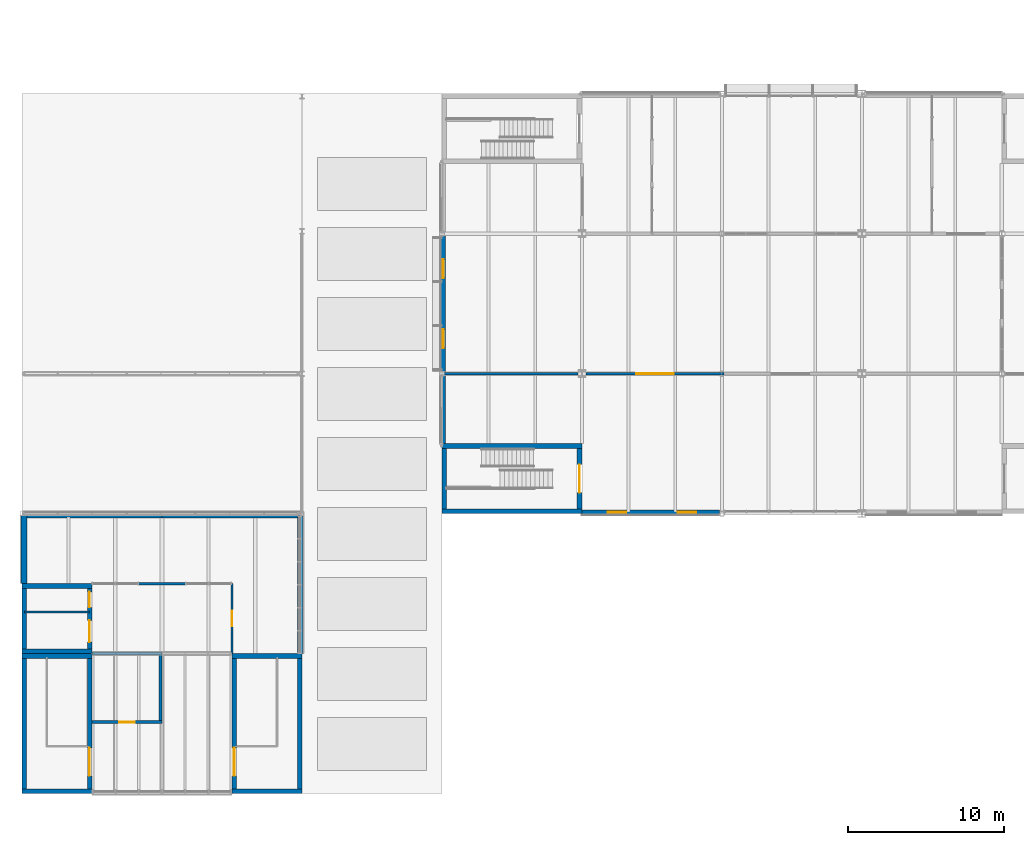
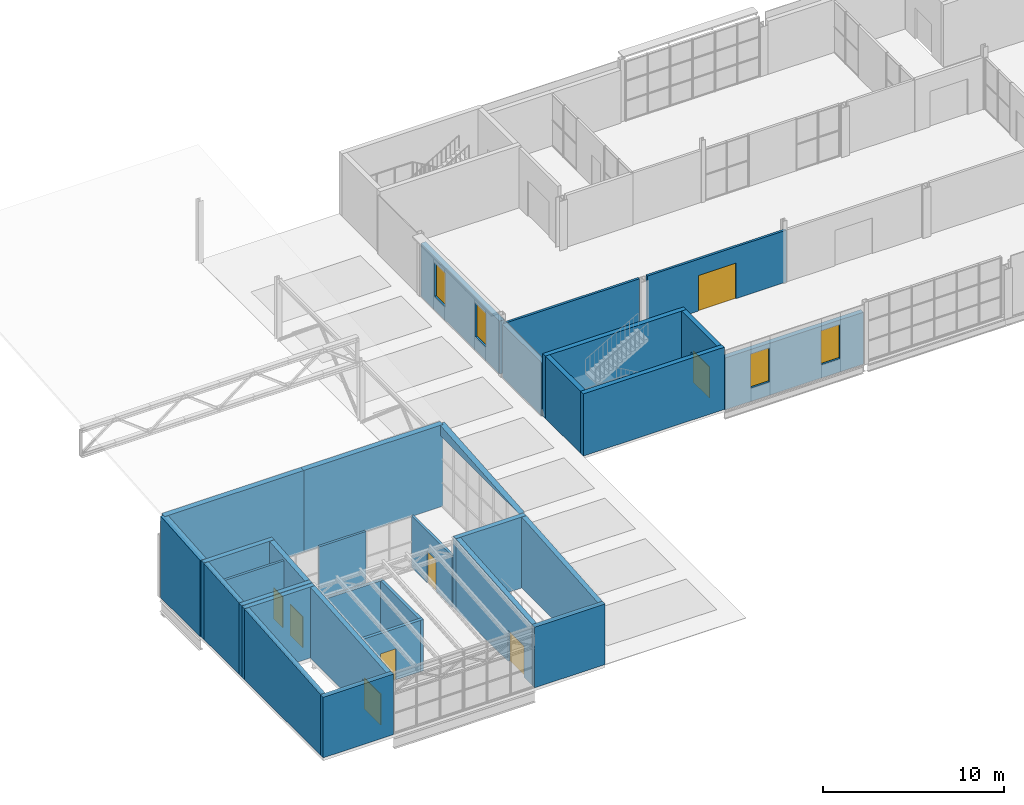
# One storey, part 41 of 61: 31 walls, 8 doors, 4 windows, 12 openings.
"""IFC4 building model written with IfcOpenShell, lengths in metres."""

from ifc_helpers import new_model, si_unit, direction, frame, frame_2d, origin, place, context, subcontext, project, spatial, polyline, rectangle, outline, extrude, material, layer, layer_set, type_object, element, fill, save


model = new_model("IFC4")

# Units and contexts
model_context = context("Model", 3, precision=1e-05, world=origin(), true_north=direction((0.0, 1.0)))
body_context = subcontext(model_context, "Body", "Model", "MODEL_VIEW")
ifc_project = project(units=[si_unit("LENGTHUNIT", "METRE"), si_unit("AREAUNIT", "SQUARE_METRE"), si_unit("VOLUMEUNIT", "CUBIC_METRE"), si_unit("PLANEANGLEUNIT", "RADIAN"), si_unit("MASSUNIT", "GRAM", prefix="KILO")], contexts=[model_context])

# Site, building, storey
site_placement = place(None, origin())
site = spatial("IfcSite", under=ifc_project, at=site_placement, CompositionType="ELEMENT")
building_placement = place(site_placement, origin())
building = spatial("IfcBuilding", under=site, at=building_placement, Name="Halyard Row Museum", CompositionType="ELEMENT")
storey_placement = place(building_placement, frame((0.0, 0.0, 9.199951171875)))
storey = spatial("IfcBuildingStorey", under=building, at=storey_placement, Name="L02", CompositionType="ELEMENT", Elevation=9.199951171875)

# Wall
ifc_material_1 = material(Name="Plasterboard on steel studs with mineral wool", Category="steel")
ifc_layer_1 = layer(ifc_material_1, 0.14990234375)
ifc_layer_set_1 = layer_set([ifc_layer_1], Name="Plasterboard on steel studs with mineral wool")
wall_type_1 = type_object("IfcWallType", Name="Acoustic stud partition 150 fire rated", PredefinedType="PARTITIONING", material=ifc_layer_set_1)
wall_1_placement = place(storey_placement, frame((7.5, 13.5, 0.0), z_axis=(0.0, 0.0, 1.0), x_axis=(1.0, 0.0, 0.0)))
element("IfcWall", 1, at=wall_1_placement, inside=storey, type_object=wall_type_1, Name="Partition Lift Lobby L02 Foyer / Rehearsal Room", PredefinedType="PARTITIONING", context=body_context, shape_type="SweptSolid", body=[
    extrude(rectangle(XDim=3.0, YDim=0.14990234375, at=frame_2d((1.5, 0.0))), origin(), (0.0, 0.0, 1.0), 3.470703125),
])

# Wall, opening, door
wall_2_placement = place(storey_placement, frame((13.5, 9.0, 0.0), z_axis=(0.0, 0.0, 1.0), x_axis=(0.0, 1.0, 0.0)))
wall_2 = element("IfcWall", 2, at=wall_2_placement, inside=storey, type_object=wall_type_1, Name="Partition Lift Lobby L02 Foyer / Rehearsal Room", PredefinedType="PARTITIONING", context=body_context, shape_type="SweptSolid", body=[
    extrude(rectangle(XDim=4.5, YDim=0.14990234375, at=frame_2d((2.25, 0.0))), origin(), (0.0, 0.0, 1.0), 3.470703125),
])
opening_1_placement = place(wall_2_placement, frame((1.75, 0.0, 0.0)))
opening_1 = element("IfcOpeningElement", 3, at=opening_1_placement, cuts=wall_2, Name="Opening DL02-028", PredefinedType="OPENING", context=body_context, shape_type="SweptSolid", body=[
    extrude(rectangle(XDim=1.0, YDim=2.10009765625, at=frame_2d((0.5, 1.050048828125))), frame((0.0, 0.0849609375, 0.0), z_axis=(0.0, -1.0, 0.0), x_axis=(1.0, 0.0, 0.0)), (0.0, 0.0, 1.0), 0.169921875),
])
ifc_material_2 = material(Name="Timber veneered door leaf and softwood frame", Category="wood")
door_type_1 = type_object("IfcDoorType", Name="Single door 1000 x 2100 fire rated", OperationType="NOTDEFINED", PredefinedType="DOOR", material=ifc_material_2)
door_1_placement = place(opening_1_placement, origin())
door_1 = element("IfcDoor", 4, at=door_1_placement, inside=storey, type_object=door_type_1, Name="Door Rehearsal Room to Lift Lobby L02 Foyer", OperationType="SINGLE_SWING_RIGHT", OverallHeight=2.10009765625, OverallWidth=1.0, PredefinedType="DOOR", context=body_context, shape_type="SweptSolid", body=[
    extrude(rectangle(XDim=1.0, YDim=2.10009765625, at=frame_2d((0.5, 1.050048828125))), frame((0.0, 0.02490234375, 0.0), z_axis=(0.0, -1.0, 0.0), x_axis=(1.0, 0.0, 0.0)), (0.0, 0.0, 1.0), 0.050048828125),
])
fill(opening_1, door_1)

# Walls
ifc_material_3 = material(Name="Dark timber battens on acoustic double stud wall", Category="wood")
ifc_layer_2 = layer(ifc_material_3, 0.35009765625)
ifc_layer_set_2 = layer_set([ifc_layer_2], Name="Dark timber battens on acoustic double stud wall")
wall_type_2 = type_object("IfcWallType", Name="Acoustic wall 350 dark timber-clad", PredefinedType="SOLIDWALL", material=ifc_layer_set_2)
for number, where, z_axis, x_axis, name in (
    (5, (9.0, 17.885009765625, 0.0), (0.0, 0.0, 1.0), (1.0, 0.0, 0.0), "Wall WL02-813"),
    (6, (0.125, 17.885009765625, 0.0), (0.0, 0.0, 1.0), (1.0, 0.0, 0.0), "Wall WL02-814"),
):
    element("IfcWall", number, at=place(storey_placement, frame(where, z_axis=z_axis, x_axis=x_axis)), inside=storey, type_object=wall_type_2, Name=name, PredefinedType="SOLIDWALL", context=body_context, shape_type="SweptSolid", body=[
        extrude(rectangle(XDim=8.875, YDim=0.35009765625, at=frame_2d((4.4375, 0.0))), origin(), (0.0, 0.0, 1.0), 5.5107421875),
    ])
wall_3_placement = place(storey_placement, frame((17.885009765625, 9.0, 4.800048828125), z_axis=(0.0, 0.0, 1.0), x_axis=(0.0, 1.0, 0.0)))
element("IfcWall", 7, at=wall_3_placement, inside=storey, type_object=wall_type_2, Name="Wall WL02-815", PredefinedType="SOLIDWALL", context=body_context, shape_type="SweptSolid", body=[
    extrude(outline(polyline([(0.0, 0.0), (8.875, 0.0), (8.875, 0.7099609375), (0.0, 0.0), (0.0, 0.0)])), frame((0.0, 0.175048828125, 0.0), z_axis=(0.0, -1.0, 0.0), x_axis=(1.0, 0.0, 0.0)), (0.0, 0.0, 1.0), 0.35009765625),
])
ifc_material_4 = material(Name="Concrete 40 MPa", Category="concrete")
ifc_layer_3 = layer(ifc_material_4, 0.300048828125)
ifc_layer_set_3 = layer_set([ifc_layer_3], Name="Concrete 40 MPa")
wall_type_3 = type_object("IfcWallType", Name="Core wall 300 lift shaft", PredefinedType="SOLIDWALL", material=ifc_layer_set_3)
wall_4_placement = place(storey_placement, frame((0.0, 9.14990234375, 0.0), z_axis=(0.0, 0.0, 1.0), x_axis=(1.0, 0.0, 0.0)))
element("IfcWall", 8, at=wall_4_placement, inside=storey, type_object=wall_type_3, Name="Core wall K6 S L02", PredefinedType="SOLIDWALL", context=body_context, shape_type="SweptSolid", body=[
    extrude(rectangle(XDim=4.5, YDim=0.300048828125, at=frame_2d((2.25, 0.0))), origin(), (0.0, 0.0, 1.0), 4.81201171875),
])

# Wall, openings, doors
wall_5_placement = place(storey_placement, frame((4.35009765625, 9.300048828125, 0.0), z_axis=(0.0, 0.0, 1.0), x_axis=(0.0, 1.0, 0.0)))
wall_5 = element("IfcWall", 9, at=wall_5_placement, inside=storey, type_object=wall_type_3, Name="Core wall K6 E L02", PredefinedType="SOLIDWALL", context=body_context, shape_type="SweptSolid", body=[
    extrude(outline(polyline([(0.0, 0.0), (3.89990234375, 0.0), (3.89990234375, 5.135986328125), (0.0, 4.823974609375), (0.0, 0.0)])), frame((0.0, 0.14990234375, 0.0), z_axis=(0.0, -1.0, 0.0), x_axis=(1.0, 0.0, 0.0)), (0.0, 0.0, 1.0), 0.300048828125),
])
opening_2_placement = place(wall_5_placement, frame((0.449951171875, 0.0, 0.0)))
opening_2 = element("IfcOpeningElement", 10, at=opening_2_placement, cuts=wall_5, Name="Opening LDPL2-L02", PredefinedType="OPENING", context=body_context, shape_type="SweptSolid", body=[
    extrude(rectangle(XDim=1.39990234375, YDim=2.10009765625, at=frame_2d((0.699951171875, 1.050048828125))), frame((0.0, 0.159912109375, 0.0), z_axis=(0.0, -1.0, 0.0), x_axis=(1.0, 0.0, 0.0)), (0.0, 0.0, 1.0), 0.320068359375),
])
opening_3_placement = place(wall_5_placement, frame((2.675048828125, 0.0, 0.0)))
opening_3 = element("IfcOpeningElement", 11, at=opening_3_placement, cuts=wall_5, Name="Opening DL02-014", PredefinedType="OPENING", context=body_context, shape_type="SweptSolid", body=[
    extrude(rectangle(XDim=1.0, YDim=2.10009765625, at=frame_2d((0.5, 1.050048828125))), frame((0.0, 0.159912109375, 0.0), z_axis=(0.0, -1.0, 0.0), x_axis=(1.0, 0.0, 0.0)), (0.0, 0.0, 1.0), 0.320068359375),
])
ifc_material_5 = material(Name="Stainless steel sliding car and landing doors", Category="steel")
door_type_2 = type_object("IfcDoorType", Name="Lift landing door 1400 x 2100", OperationType="SLIDING_TO_LEFT", PredefinedType="DOOR", material=ifc_material_5)
door_2_placement = place(opening_2_placement, origin())
door_2 = element("IfcDoor", 12, at=door_2_placement, inside=storey, type_object=door_type_2, Name="Landing door PL2 E L02", OperationType="SLIDING_TO_LEFT", OverallHeight=2.10009765625, OverallWidth=1.39990234375, PredefinedType="DOOR", context=body_context, shape_type="SweptSolid", body=[
    extrude(rectangle(XDim=1.39990234375, YDim=2.10009765625, at=frame_2d((0.699951171875, 1.050048828125))), frame((0.0, 0.02490234375, 0.0), z_axis=(0.0, -1.0, 0.0), x_axis=(1.0, 0.0, 0.0)), (0.0, 0.0, 1.0), 0.050048828125),
])
fill(opening_2, door_2)
ifc_material_6 = material(Name="Galvanised steel door leaf and frame", Category="steel")
door_type_3 = type_object("IfcDoorType", Name="Riser door 1000 x 2100 fire rated", OperationType="NOTDEFINED", PredefinedType="DOOR", material=ifc_material_6)
door_3_placement = place(opening_3_placement, frame((1.0, 0.0, 0.0), z_axis=(0.0, 0.0, 1.0), x_axis=(-1.0, 0.0, 0.0)))
door_3 = element("IfcDoor", 13, at=door_3_placement, inside=storey, type_object=door_type_3, Name="Riser door K6 L02", OperationType="SINGLE_SWING_RIGHT", OverallHeight=2.10009765625, OverallWidth=1.0, PredefinedType="DOOR", context=body_context, shape_type="SweptSolid", body=[
    extrude(rectangle(XDim=1.0, YDim=2.10009765625, at=frame_2d((0.5, 1.050048828125))), frame((0.0, 0.02490234375, 0.0), z_axis=(0.0, -1.0, 0.0), x_axis=(1.0, 0.0, 0.0)), (0.0, 0.0, 1.0), 0.050048828125),
])
fill(opening_3, door_3)

# Walls
wall_6_placement = place(storey_placement, frame((0.0, 13.35009765625, 0.0), z_axis=(0.0, 0.0, 1.0), x_axis=(1.0, 0.0, 0.0)))
element("IfcWall", 14, at=wall_6_placement, inside=storey, type_object=wall_type_3, Name="Core wall K6 N L02", PredefinedType="SOLIDWALL", context=body_context, shape_type="SweptSolid", body=[
    extrude(rectangle(XDim=4.5, YDim=0.300048828125, at=frame_2d((2.25, 0.0))), origin(), (0.0, 0.0, 1.0), 5.14794921875),
])
wall_7_placement = place(storey_placement, frame((0.14990234375, 9.300048828125, 0.0), z_axis=(0.0, 0.0, 1.0), x_axis=(0.0, 1.0, 0.0)))
element("IfcWall", 15, at=wall_7_placement, inside=storey, type_object=wall_type_3, Name="Core wall K6 W L02", PredefinedType="SOLIDWALL", context=body_context, shape_type="SweptSolid", body=[
    extrude(outline(polyline([(0.0, 0.0), (3.89990234375, 0.0), (3.89990234375, 5.135986328125), (0.0, 4.823974609375), (0.0, 0.0)])), frame((0.0, 0.14990234375, 0.0), z_axis=(0.0, -1.0, 0.0), x_axis=(1.0, 0.0, 0.0)), (0.0, 0.0, 1.0), 0.300048828125),
])
ifc_material_7 = material(Name="Concrete 40 MPa", Category="concrete")
ifc_layer_4 = layer(ifc_material_7, 0.300048828125)
ifc_layer_set_4 = layer_set([ifc_layer_4], Name="Concrete 40 MPa")
wall_type_4 = type_object("IfcWallType", Name="Exitway wall 300 reinforced concrete", PredefinedType="SOLIDWALL", material=ifc_layer_set_4)
wall_8_placement = place(storey_placement, frame((27.0, 18.14990234375, 0.0), z_axis=(0.0, 0.0, 1.0), x_axis=(1.0, 0.0, 0.0)))
element("IfcWall", 16, at=wall_8_placement, inside=storey, type_object=wall_type_4, Name="Core wall K1D S L02", PredefinedType="SOLIDWALL", context=body_context, shape_type="SweptSolid", body=[
    extrude(rectangle(XDim=9.0, YDim=0.300048828125, at=frame_2d((4.5, 0.0))), origin(), (0.0, 0.0, 1.0), 4.199951171875),
])

# Wall, opening, door
wall_9_placement = place(storey_placement, frame((35.85009765625, 18.300048828125, 0.0), z_axis=(0.0, 0.0, 1.0), x_axis=(0.0, 1.0, 0.0)))
wall_9 = element("IfcWall", 17, at=wall_9_placement, inside=storey, type_object=wall_type_4, Name="Core wall K1D E L02", PredefinedType="SOLIDWALL", context=body_context, shape_type="SweptSolid", body=[
    extrude(rectangle(XDim=3.89990234375, YDim=0.300048828125, at=frame_2d((1.949951171875, 0.0))), origin(), (0.0, 0.0, 1.0), 4.199951171875),
])
opening_4_placement = place(wall_9_placement, frame((1.050048828125, 0.0, 0.0)))
opening_4 = element("IfcOpeningElement", 18, at=opening_4_placement, cuts=wall_9, Name="Opening DL02-004", PredefinedType="OPENING", context=body_context, shape_type="SweptSolid", body=[
    extrude(rectangle(XDim=1.800048828125, YDim=2.10009765625, at=frame_2d((0.89990234375, 1.050048828125))), frame((0.0, 0.159912109375, 0.0), z_axis=(0.0, -1.0, 0.0), x_axis=(1.0, 0.0, 0.0)), (0.0, 0.0, 1.0), 0.320068359375),
])
ifc_material_8 = material(Name="Fire-resisting timber door leaf and steel frame", Category="steel")
door_type_4 = type_object("IfcDoorType", Name="Exitway door 1800 x 2100 fire rated", OperationType="NOTDEFINED", PredefinedType="DOOR", material=ifc_material_8)
door_4_placement = place(opening_4_placement, origin())
door_4 = element("IfcDoor", 19, at=door_4_placement, inside=storey, type_object=door_type_4, Name="Exitway door K1D L02", OperationType="DOUBLE_DOOR_SINGLE_SWING", OverallHeight=2.10009765625, OverallWidth=1.800048828125, PredefinedType="DOOR", context=body_context, shape_type="SweptSolid", body=[
    extrude(rectangle(XDim=1.800048828125, YDim=2.10009765625, at=frame_2d((0.89990234375, 1.050048828125))), frame((0.0, 0.02490234375, 0.0), z_axis=(0.0, -1.0, 0.0), x_axis=(1.0, 0.0, 0.0)), (0.0, 0.0, 1.0), 0.050048828125),
])
fill(opening_4, door_4)

# Walls
wall_10_placement = place(storey_placement, frame((27.0, 22.35009765625, 0.0), z_axis=(0.0, 0.0, 1.0), x_axis=(1.0, 0.0, 0.0)))
element("IfcWall", 20, at=wall_10_placement, inside=storey, type_object=wall_type_4, Name="Core wall K1D N L02", PredefinedType="SOLIDWALL", context=body_context, shape_type="SweptSolid", body=[
    extrude(rectangle(XDim=9.0, YDim=0.300048828125, at=frame_2d((4.5, 0.0))), origin(), (0.0, 0.0, 1.0), 4.199951171875),
])
wall_11_placement = place(storey_placement, frame((27.14990234375, 18.300048828125, 0.0), z_axis=(0.0, 0.0, 1.0), x_axis=(0.0, 1.0, 0.0)))
element("IfcWall", 21, at=wall_11_placement, inside=storey, type_object=wall_type_4, Name="Core wall K1D W L02", PredefinedType="SOLIDWALL", context=body_context, shape_type="SweptSolid", body=[
    extrude(rectangle(XDim=3.89990234375, YDim=0.300048828125, at=frame_2d((1.949951171875, 0.0))), origin(), (0.0, 0.0, 1.0), 4.199951171875),
])
wall_12_placement = place(storey_placement, frame((13.5, 0.14990234375, 0.0), z_axis=(0.0, 0.0, 1.0), x_axis=(1.0, 0.0, 0.0)))
element("IfcWall", 22, at=wall_12_placement, inside=storey, type_object=wall_type_4, Name="Core wall K3E S L02", PredefinedType="SOLIDWALL", context=body_context, shape_type="SweptSolid", body=[
    extrude(rectangle(XDim=4.5, YDim=0.300048828125, at=frame_2d((2.25, 0.0))), origin(), (0.0, 0.0, 1.0), 4.092041015625),
])
wall_13_placement = place(storey_placement, frame((17.85009765625, 0.300048828125, 0.0), z_axis=(0.0, 0.0, 1.0), x_axis=(0.0, 1.0, 0.0)))
element("IfcWall", 23, at=wall_13_placement, inside=storey, type_object=wall_type_4, Name="Core wall K3E E L02", PredefinedType="SOLIDWALL", context=body_context, shape_type="SweptSolid", body=[
    extrude(outline(polyline([(0.0, 0.0), (8.39990234375, 0.0), (8.39990234375, 4.776123046875), (0.0, 4.10400390625), (0.0, 0.0)])), frame((0.0, 0.14990234375, 0.0), z_axis=(0.0, -1.0, 0.0), x_axis=(1.0, 0.0, 0.0)), (0.0, 0.0, 1.0), 0.300048828125),
])
wall_14_placement = place(storey_placement, frame((13.5, 8.85009765625, 0.0), z_axis=(0.0, 0.0, 1.0), x_axis=(1.0, 0.0, 0.0)))
element("IfcWall", 24, at=wall_14_placement, inside=storey, type_object=wall_type_4, Name="Core wall K3E N L02", PredefinedType="SOLIDWALL", context=body_context, shape_type="SweptSolid", body=[
    extrude(rectangle(XDim=4.5, YDim=0.300048828125, at=frame_2d((2.25, 0.0))), origin(), (0.0, 0.0, 1.0), 4.7880859375),
])

# Wall, opening, door
wall_15_placement = place(storey_placement, frame((13.64990234375, 0.300048828125, 0.0), z_axis=(0.0, 0.0, 1.0), x_axis=(0.0, 1.0, 0.0)))
wall_15 = element("IfcWall", 25, at=wall_15_placement, inside=storey, type_object=wall_type_4, Name="Core wall K3E W L02", PredefinedType="SOLIDWALL", context=body_context, shape_type="SweptSolid", body=[
    extrude(outline(polyline([(0.0, 0.0), (8.39990234375, 0.0), (8.39990234375, 4.776123046875), (0.0, 4.10400390625), (0.0, 0.0)])), frame((0.0, 0.14990234375, 0.0), z_axis=(0.0, -1.0, 0.0), x_axis=(1.0, 0.0, 0.0)), (0.0, 0.0, 1.0), 0.300048828125),
])
opening_5_placement = place(wall_15_placement, frame((0.85009765625, 0.0, 0.0)))
opening_5 = element("IfcOpeningElement", 26, at=opening_5_placement, cuts=wall_15, Name="Opening DL02-008", PredefinedType="OPENING", context=body_context, shape_type="SweptSolid", body=[
    extrude(rectangle(XDim=1.800048828125, YDim=2.10009765625, at=frame_2d((0.89990234375, 1.050048828125))), frame((0.0, 0.159912109375, 0.0), z_axis=(0.0, -1.0, 0.0), x_axis=(1.0, 0.0, 0.0)), (0.0, 0.0, 1.0), 0.320068359375),
])
door_5_placement = place(opening_5_placement, frame((1.800048828125, 0.0, 0.0), z_axis=(0.0, 0.0, 1.0), x_axis=(-1.0, 0.0, 0.0)))
door_5 = element("IfcDoor", 27, at=door_5_placement, inside=storey, type_object=door_type_4, Name="Exitway door K3E L02", OperationType="DOUBLE_DOOR_SINGLE_SWING", OverallHeight=2.10009765625, OverallWidth=1.800048828125, PredefinedType="DOOR", context=body_context, shape_type="SweptSolid", body=[
    extrude(rectangle(XDim=1.800048828125, YDim=2.10009765625, at=frame_2d((0.89990234375, 1.050048828125))), frame((0.0, 0.02490234375, 0.0), z_axis=(0.0, -1.0, 0.0), x_axis=(1.0, 0.0, 0.0)), (0.0, 0.0, 1.0), 0.050048828125),
])
fill(opening_5, door_5)

# Wall
wall_16_placement = place(storey_placement, frame((0.0, 0.14990234375, 0.0), z_axis=(0.0, 0.0, 1.0), x_axis=(1.0, 0.0, 0.0)))
element("IfcWall", 28, at=wall_16_placement, inside=storey, type_object=wall_type_4, Name="Core wall K3S S L02", PredefinedType="SOLIDWALL", context=body_context, shape_type="SweptSolid", body=[
    extrude(rectangle(XDim=4.5, YDim=0.300048828125, at=frame_2d((2.25, 0.0))), origin(), (0.0, 0.0, 1.0), 4.092041015625),
])

# Wall, opening, door
wall_17_placement = place(storey_placement, frame((4.35009765625, 0.300048828125, 0.0), z_axis=(0.0, 0.0, 1.0), x_axis=(0.0, 1.0, 0.0)))
wall_17 = element("IfcWall", 29, at=wall_17_placement, inside=storey, type_object=wall_type_4, Name="Core wall K3S E L02", PredefinedType="SOLIDWALL", context=body_context, shape_type="SweptSolid", body=[
    extrude(outline(polyline([(0.0, 0.0), (8.39990234375, 0.0), (8.39990234375, 4.776123046875), (0.0, 4.10400390625), (0.0, 0.0)])), frame((0.0, 0.14990234375, 0.0), z_axis=(0.0, -1.0, 0.0), x_axis=(1.0, 0.0, 0.0)), (0.0, 0.0, 1.0), 0.300048828125),
])
opening_6_placement = place(wall_17_placement, frame((0.85009765625, 0.0, 0.0)))
opening_6 = element("IfcOpeningElement", 30, at=opening_6_placement, cuts=wall_17, Name="Opening DL02-009", PredefinedType="OPENING", context=body_context, shape_type="SweptSolid", body=[
    extrude(rectangle(XDim=1.800048828125, YDim=2.10009765625, at=frame_2d((0.89990234375, 1.050048828125))), frame((0.0, 0.159912109375, 0.0), z_axis=(0.0, -1.0, 0.0), x_axis=(1.0, 0.0, 0.0)), (0.0, 0.0, 1.0), 0.320068359375),
])
door_6_placement = place(opening_6_placement, origin())
door_6 = element("IfcDoor", 31, at=door_6_placement, inside=storey, type_object=door_type_4, Name="Exitway door K3S L02", OperationType="DOUBLE_DOOR_SINGLE_SWING", OverallHeight=2.10009765625, OverallWidth=1.800048828125, PredefinedType="DOOR", context=body_context, shape_type="SweptSolid", body=[
    extrude(rectangle(XDim=1.800048828125, YDim=2.10009765625, at=frame_2d((0.89990234375, 1.050048828125))), frame((0.0, 0.02490234375, 0.0), z_axis=(0.0, -1.0, 0.0), x_axis=(1.0, 0.0, 0.0)), (0.0, 0.0, 1.0), 0.050048828125),
])
fill(opening_6, door_6)

# Walls
wall_18_placement = place(storey_placement, frame((0.0, 8.85009765625, 0.0), z_axis=(0.0, 0.0, 1.0), x_axis=(1.0, 0.0, 0.0)))
element("IfcWall", 32, at=wall_18_placement, inside=storey, type_object=wall_type_4, Name="Core wall K3S N L02", PredefinedType="SOLIDWALL", context=body_context, shape_type="SweptSolid", body=[
    extrude(rectangle(XDim=4.5, YDim=0.300048828125, at=frame_2d((2.25, 0.0))), origin(), (0.0, 0.0, 1.0), 4.7880859375),
])
wall_19_placement = place(storey_placement, frame((0.14990234375, 0.300048828125, 0.0), z_axis=(0.0, 0.0, 1.0), x_axis=(0.0, 1.0, 0.0)))
element("IfcWall", 33, at=wall_19_placement, inside=storey, type_object=wall_type_4, Name="Core wall K3S W L02", PredefinedType="SOLIDWALL", context=body_context, shape_type="SweptSolid", body=[
    extrude(outline(polyline([(0.0, 0.0), (8.39990234375, 0.0), (8.39990234375, 4.776123046875), (0.0, 4.10400390625), (0.0, 0.0)])), frame((0.0, 0.14990234375, 0.0), z_axis=(0.0, -1.0, 0.0), x_axis=(1.0, 0.0, 0.0)), (0.0, 0.0, 1.0), 0.300048828125),
])
ifc_material_9 = material(Name="Plasterboard on steel studs with mineral wool", Category="steel")
ifc_layer_5 = layer(ifc_material_9, 0.14990234375)
ifc_layer_set_5 = layer_set([ifc_layer_5], Name="Plasterboard on steel studs with mineral wool")
wall_type_5 = type_object("IfcWallType", Name="Gallery wall 150", PredefinedType="PARTITIONING", material=ifc_layer_set_5)
wall_20_placement = place(storey_placement, frame((27.14990234375, 27.0, 0.0), z_axis=(0.0, 0.0, 1.0), x_axis=(1.0, 0.0, 0.0)))
element("IfcWall", 34, at=wall_20_placement, inside=storey, type_object=wall_type_5, Name="Partition Permanent Gallery Craft / Permanent Gallery Textiles", PredefinedType="PARTITIONING", context=body_context, shape_type="SweptSolid", body=[
    extrude(rectangle(XDim=8.60009765625, YDim=0.14990234375, at=frame_2d((4.300048828125, 0.0))), origin(), (0.0, 0.0, 1.0), 3.501953125),
])

# Wall, opening, door
wall_21_placement = place(storey_placement, frame((36.25, 27.0, 0.0), z_axis=(0.0, 0.0, 1.0), x_axis=(1.0, 0.0, 0.0)))
wall_21 = element("IfcWall", 35, at=wall_21_placement, inside=storey, type_object=wall_type_5, Name="Partition Permanent Gallery Craft / Permanent Gallery Textiles", PredefinedType="PARTITIONING", context=body_context, shape_type="SweptSolid", body=[
    extrude(rectangle(XDim=8.876953125, YDim=0.14990234375, at=frame_2d((4.4384765625, 0.0))), origin(), (0.0, 0.0, 1.0), 3.501953125),
])
opening_7_placement = place(wall_21_placement, frame((3.25, 0.0, 0.0)))
opening_7 = element("IfcOpeningElement", 36, at=opening_7_placement, cuts=wall_21, Name="Opening DL02-015", PredefinedType="OPENING", context=body_context, shape_type="SweptSolid", body=[
    extrude(rectangle(XDim=2.39990234375, YDim=2.39990234375, at=frame_2d((1.199951171875, 1.199951171875))), frame((0.0, 0.0849609375, 0.0), z_axis=(0.0, -1.0, 0.0), x_axis=(1.0, 0.0, 0.0)), (0.0, 0.0, 1.0), 0.169921875),
])
ifc_material_10 = material(Name="Timber veneered door leaf and softwood frame", Category="wood")
door_type_5 = type_object("IfcDoorType", Name="Double door 2400 x 2400 gallery", OperationType="NOTDEFINED", PredefinedType="DOOR", material=ifc_material_10)
door_7_placement = place(opening_7_placement, origin())
door_7 = element("IfcDoor", 37, at=door_7_placement, inside=storey, type_object=door_type_5, Name="Door Permanent Gallery Craft to Permanent Gallery Textiles", OperationType="DOUBLE_DOOR_SINGLE_SWING", OverallHeight=2.39990234375, OverallWidth=2.39990234375, PredefinedType="DOOR", context=body_context, shape_type="SweptSolid", body=[
    extrude(rectangle(XDim=2.39990234375, YDim=2.39990234375, at=frame_2d((1.199951171875, 1.199951171875))), frame((0.0, 0.02490234375, 0.0), z_axis=(0.0, -1.0, 0.0), x_axis=(1.0, 0.0, 0.0)), (0.0, 0.0, 1.0), 0.050048828125),
])
fill(opening_7, door_7)

# Walls
ifc_material_11 = material(Name="Concrete 40 MPa", Category="concrete")
ifc_layer_6 = layer(ifc_material_11, 0.14990234375)
ifc_layer_set_6 = layer_set([ifc_layer_6], Name="Concrete 40 MPa")
wall_type_6 = type_object("IfcWallType", Name="Lift shaft divider 150", PredefinedType="SOLIDWALL", material=ifc_layer_set_6)
wall_22_placement = place(storey_placement, frame((0.14990234375, 11.675048828125, 0.0), z_axis=(0.0, 0.0, 1.0), x_axis=(1.0, 0.0, 0.0)))
element("IfcWall", 38, at=wall_22_placement, inside=storey, type_object=wall_type_6, Name="Shaft divider PL2 L02", PredefinedType="SOLIDWALL", context=body_context, shape_type="SweptSolid", body=[
    extrude(rectangle(XDim=4.2001953125, YDim=0.14990234375, at=frame_2d((2.10009765625, 0.0))), origin(), (0.0, 0.0, 1.0), 4.800048828125),
])
ifc_material_12 = material(Name="Concrete 40 MPa", Category="concrete")
ifc_layer_7 = layer(ifc_material_12, 0.39990234375)
ifc_layer_set_7 = layer_set([ifc_layer_7], Name="Concrete 40 MPa")
wall_type_7 = type_object("IfcWallType", Name="Party wall 400 reinforced concrete", PredefinedType="SOLIDWALL", material=ifc_layer_set_7)
wall_23_placement = place(storey_placement, frame((0.139892578125, 13.5, 0.0), z_axis=(0.0, 0.0, 1.0), x_axis=(0.0, 1.0, 0.0)))
element("IfcWall", 39, at=wall_23_placement, inside=storey, type_object=wall_type_7, Name="Wall WL02-812", PredefinedType="SOLIDWALL", context=body_context, shape_type="SweptSolid", body=[
    extrude(outline(polyline([(0.0, 0.0), (4.375, 0.0), (4.375, 5.510009765625), (0.0, 5.16015625), (0.0, 0.0)])), frame((0.0, 0.199951171875, 0.0), z_axis=(0.0, -1.0, 0.0), x_axis=(1.0, 0.0, 0.0)), (0.0, 0.0, 1.0), 0.39990234375),
])

# Wall, opening, door
ifc_material_13 = material(Name="Concrete masonry 15 MPa", Category="masonry")
ifc_layer_8 = layer(ifc_material_13, 0.199951171875)
ifc_layer_set_8 = layer_set([ifc_layer_8], Name="Concrete masonry 15 MPa")
wall_type_8 = type_object("IfcWallType", Name="Plant room wall 200 fire rated", PredefinedType="PARTITIONING", material=ifc_layer_set_8)
wall_24_placement = place(storey_placement, frame((4.5, 4.60009765625, 0.0), z_axis=(0.0, 0.0, 1.0), x_axis=(1.0, 0.0, 0.0)))
wall_24 = element("IfcWall", 40, at=wall_24_placement, inside=storey, type_object=wall_type_8, Name="Partition Performance Plant Corridor / Performance Plant Room", PredefinedType="PARTITIONING", context=body_context, shape_type="SweptSolid", body=[
    extrude(rectangle(XDim=4.5, YDim=0.199951171875, at=frame_2d((2.25, 0.0))), origin(), (0.0, 0.0, 1.0), 3.470703125),
])
opening_8_placement = place(wall_24_placement, frame((1.75, 0.0, 0.0)))
opening_8 = element("IfcOpeningElement", 41, at=opening_8_placement, cuts=wall_24, Name="Opening DL02-027", PredefinedType="OPENING", context=body_context, shape_type="SweptSolid", body=[
    extrude(rectangle(XDim=1.0, YDim=2.10009765625, at=frame_2d((0.5, 1.050048828125))), frame((0.0, 0.10986328125, 0.0), z_axis=(0.0, -1.0, 0.0), x_axis=(1.0, 0.0, 0.0)), (0.0, 0.0, 1.0), 0.219970703125),
])
ifc_material_14 = material(Name="Galvanised steel door leaf and frame", Category="steel")
door_type_6 = type_object("IfcDoorType", Name="Plant room door 1000 x 2100 fire rated", OperationType="NOTDEFINED", PredefinedType="DOOR", material=ifc_material_14)
door_8_placement = place(opening_8_placement, origin())
door_8 = element("IfcDoor", 42, at=door_8_placement, inside=storey, type_object=door_type_6, Name="Door Performance Plant Room to Performance Plant Corridor", OperationType="SINGLE_SWING_LEFT", OverallHeight=2.10009765625, OverallWidth=1.0, PredefinedType="DOOR", context=body_context, shape_type="SweptSolid", body=[
    extrude(rectangle(XDim=1.0, YDim=2.10009765625, at=frame_2d((0.5, 1.050048828125))), frame((0.0, 0.02490234375, 0.0), z_axis=(0.0, -1.0, 0.0), x_axis=(1.0, 0.0, 0.0)), (0.0, 0.0, 1.0), 0.050048828125),
])
fill(opening_8, door_8)

# Walls
for number, where, z_axis, x_axis, name in (
    (43, (8.89990234375, 4.5, 0.0), (0.0, 0.0, 1.0), (0.0, 1.0, 0.0), "Partition Performance Plant Corridor / Performance Plant Room"),
    (44, (4.5, 9.0, 0.0), (0.0, 0.0, 1.0), (1.0, 0.0, 0.0), "Partition Performance Plant Room / Lift Lobby L02 Foyer"),
):
    element("IfcWall", number, at=place(storey_placement, frame(where, z_axis=z_axis, x_axis=x_axis)), inside=storey, type_object=wall_type_8, Name=name, PredefinedType="PARTITIONING", context=body_context, shape_type="SweptSolid", body=[
        extrude(rectangle(XDim=4.5, YDim=0.199951171875, at=frame_2d((2.25, 0.0))), origin(), (0.0, 0.0, 1.0), 3.470703125),
    ])

# Wall, openings, windows
ifc_material_15 = material(Name="Fire-retardant timber rainscreen on insulated steel-stud wall", Category="steel")
ifc_layer_9 = layer(ifc_material_15, 0.300048828125)
ifc_layer_set_9 = layer_set([ifc_layer_9], Name="Fire-retardant timber rainscreen on insulated steel-stud wall")
wall_type_9 = type_object("IfcWallType", Name="Rainscreen wall 300 timber-clad", PredefinedType="SOLIDWALL", material=ifc_layer_set_9)
wall_25_placement = place(storey_placement, frame((27.090087890625, 27.14990234375, 0.0), z_axis=(0.0, 0.0, 1.0), x_axis=(0.0, 1.0, 0.0)))
wall_25 = element("IfcWall", 45, at=wall_25_placement, inside=storey, type_object=wall_type_9, Name="Wall WL02-807", PredefinedType="SOLIDWALL", context=body_context, shape_type="SweptSolid", body=[
    extrude(rectangle(XDim=8.7001953125, YDim=0.300048828125, at=frame_2d((4.35009765625, 0.0))), origin(), (0.0, 0.0, 1.0), 3.57763671875),
])
opening_9_placement = place(wall_25_placement, frame((1.5, 0.0, 0.89990234375)))
opening_9 = element("IfcOpeningElement", 46, at=opening_9_placement, cuts=wall_25, Name="Opening WNL02-800", PredefinedType="OPENING", context=body_context, shape_type="SweptSolid", body=[
    extrude(rectangle(XDim=1.199951171875, YDim=2.300048828125, at=frame_2d((0.60009765625, 1.14990234375))), frame((0.0, 0.159912109375, 0.0), z_axis=(0.0, -1.0, 0.0), x_axis=(1.0, 0.0, 0.0)), (0.0, 0.0, 1.0), 0.320068359375),
])
opening_10_placement = place(wall_25_placement, frame((6.0, 0.0, 0.89990234375)))
opening_10 = element("IfcOpeningElement", 47, at=opening_10_placement, cuts=wall_25, Name="Opening WNL02-801", PredefinedType="OPENING", context=body_context, shape_type="SweptSolid", body=[
    extrude(rectangle(XDim=1.199951171875, YDim=2.300048828125, at=frame_2d((0.60009765625, 1.14990234375))), frame((0.0, 0.159912109375, 0.0), z_axis=(0.0, -1.0, 0.0), x_axis=(1.0, 0.0, 0.0)), (0.0, 0.0, 1.0), 0.320068359375),
])
ifc_material_16 = material(Name="Double glazed unit, low-emissivity", Category="glass")
window_type = type_object("IfcWindowType", Name="Window WN1 1200 x 2300", PartitioningType="SINGLE_PANEL", PredefinedType="WINDOW", material=ifc_material_16)
window_1_placement = place(opening_9_placement, origin())
window_1 = element("IfcWindow", 48, at=window_1_placement, inside=storey, type_object=window_type, Name="Window WNL02-800", OverallHeight=2.300048828125, OverallWidth=1.199951171875, PartitioningType="SINGLE_PANEL", PredefinedType="WINDOW", context=body_context, shape_type="SweptSolid", body=[
    extrude(rectangle(XDim=1.199951171875, YDim=2.300048828125, at=frame_2d((0.60009765625, 1.14990234375))), frame((0.0, 0.030029296875, 0.0), z_axis=(0.0, -1.0, 0.0), x_axis=(1.0, 0.0, 0.0)), (0.0, 0.0, 1.0), 0.06005859375),
])
fill(opening_9, window_1)
window_2_placement = place(opening_10_placement, origin())
window_2 = element("IfcWindow", 49, at=window_2_placement, inside=storey, type_object=window_type, Name="Window WNL02-801", OverallHeight=2.300048828125, OverallWidth=1.199951171875, PartitioningType="SINGLE_PANEL", PredefinedType="WINDOW", context=body_context, shape_type="SweptSolid", body=[
    extrude(rectangle(XDim=1.199951171875, YDim=2.300048828125, at=frame_2d((0.60009765625, 1.14990234375))), frame((0.0, 0.030029296875, 0.0), z_axis=(0.0, -1.0, 0.0), x_axis=(1.0, 0.0, 0.0)), (0.0, 0.0, 1.0), 0.06005859375),
])
fill(opening_10, window_2)

# Wall
wall_26_placement = place(storey_placement, frame((27.090087890625, 22.5, 0.0), z_axis=(0.0, 0.0, 1.0), x_axis=(0.0, 1.0, 0.0)))
element("IfcWall", 50, at=wall_26_placement, inside=storey, type_object=wall_type_9, Name="Wall WL02-808", PredefinedType="SOLIDWALL", context=body_context, shape_type="SweptSolid", body=[
    extrude(rectangle(XDim=4.35009765625, YDim=0.300048828125, at=frame_2d((2.175048828125, 0.0))), origin(), (0.0, 0.0, 1.0), 3.57763671875),
])

# Wall, openings, windows
wall_27_placement = place(storey_placement, frame((36.0, 18.090087890625, 0.0), z_axis=(0.0, 0.0, 1.0), x_axis=(1.0, 0.0, 0.0)))
wall_27 = element("IfcWall", 51, at=wall_27_placement, inside=storey, type_object=wall_type_9, Name="Wall WL02-809", PredefinedType="SOLIDWALL", context=body_context, shape_type="SweptSolid", body=[
    extrude(rectangle(XDim=8.85009765625, YDim=0.300048828125, at=frame_2d((4.425048828125, 0.0))), origin(), (0.0, 0.0, 1.0), 3.501953125),
])
opening_11_placement = place(wall_27_placement, frame((1.64990234375, 0.0, 0.89990234375)))
opening_11 = element("IfcOpeningElement", 52, at=opening_11_placement, cuts=wall_27, Name="Opening WNL02-802", PredefinedType="OPENING", context=body_context, shape_type="SweptSolid", body=[
    extrude(rectangle(XDim=1.199951171875, YDim=2.300048828125, at=frame_2d((0.60009765625, 1.14990234375))), frame((0.0, 0.159912109375, 0.0), z_axis=(0.0, -1.0, 0.0), x_axis=(1.0, 0.0, 0.0)), (0.0, 0.0, 1.0), 0.320068359375),
])
opening_12_placement = place(wall_27_placement, frame((6.14990234375, 0.0, 0.89990234375)))
opening_12 = element("IfcOpeningElement", 53, at=opening_12_placement, cuts=wall_27, Name="Opening WNL02-803", PredefinedType="OPENING", context=body_context, shape_type="SweptSolid", body=[
    extrude(rectangle(XDim=1.199951171875, YDim=2.300048828125, at=frame_2d((0.60009765625, 1.14990234375))), frame((0.0, 0.159912109375, 0.0), z_axis=(0.0, -1.0, 0.0), x_axis=(1.0, 0.0, 0.0)), (0.0, 0.0, 1.0), 0.320068359375),
])
window_3_placement = place(opening_11_placement, origin())
window_3 = element("IfcWindow", 54, at=window_3_placement, inside=storey, type_object=window_type, Name="Window WNL02-802", OverallHeight=2.300048828125, OverallWidth=1.199951171875, PartitioningType="SINGLE_PANEL", PredefinedType="WINDOW", context=body_context, shape_type="SweptSolid", body=[
    extrude(rectangle(XDim=1.199951171875, YDim=2.300048828125, at=frame_2d((0.60009765625, 1.14990234375))), frame((0.0, 0.030029296875, 0.0), z_axis=(0.0, -1.0, 0.0), x_axis=(1.0, 0.0, 0.0)), (0.0, 0.0, 1.0), 0.06005859375),
])
fill(opening_11, window_3)
window_4_placement = place(opening_12_placement, origin())
window_4 = element("IfcWindow", 55, at=window_4_placement, inside=storey, type_object=window_type, Name="Window WNL02-803", OverallHeight=2.300048828125, OverallWidth=1.199951171875, PartitioningType="SINGLE_PANEL", PredefinedType="WINDOW", context=body_context, shape_type="SweptSolid", body=[
    extrude(rectangle(XDim=1.199951171875, YDim=2.300048828125, at=frame_2d((0.60009765625, 1.14990234375))), frame((0.0, 0.030029296875, 0.0), z_axis=(0.0, -1.0, 0.0), x_axis=(1.0, 0.0, 0.0)), (0.0, 0.0, 1.0), 0.06005859375),
])
fill(opening_12, window_4)

save(model, "model.ifc")
